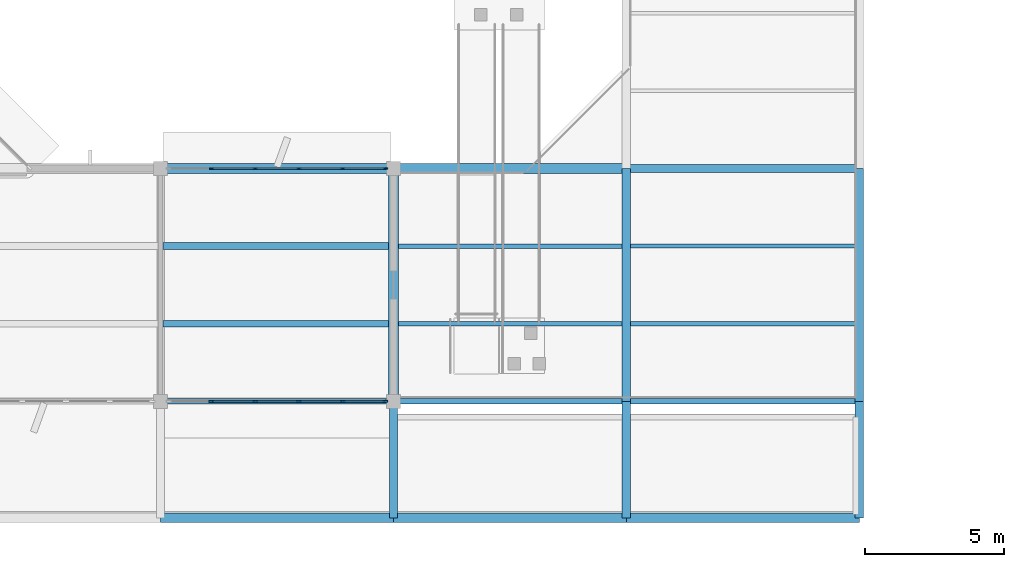
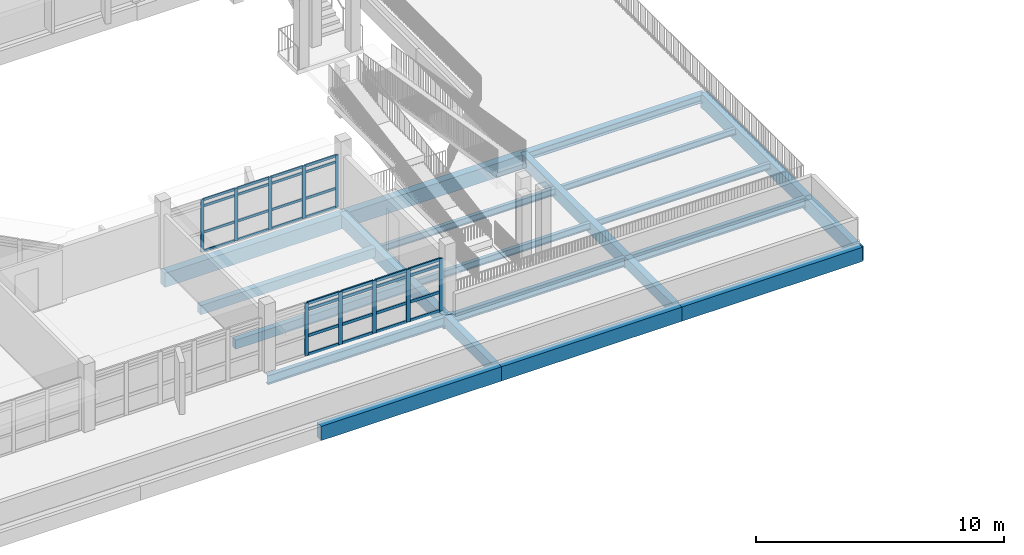
# One storey, part 19 of 92: 42 members, 21 beams, 2 elements without a shape of their own.
"""IFC4 building model written with IfcOpenShell, lengths in metres."""

from ifc_helpers import new_model, si_unit, direction, frame, origin, origin_2d, place, context, subcontext, project, spatial, rectangle, i_section, extrude, material, material_profile, profile_set, type_object, element, aggregate, save


model = new_model("IFC4")

# Units and contexts
model_context = context("Model", 3, precision=1e-05, world=origin(), true_north=direction((0.0, 1.0)))
body_context = subcontext(model_context, "Body", "Model", "MODEL_VIEW")
ifc_project = project(units=[si_unit("LENGTHUNIT", "METRE"), si_unit("AREAUNIT", "SQUARE_METRE"), si_unit("VOLUMEUNIT", "CUBIC_METRE"), si_unit("PLANEANGLEUNIT", "RADIAN"), si_unit("MASSUNIT", "GRAM", prefix="KILO")], contexts=[model_context])

# Site, building, storey
site_placement = place(None, origin())
site = spatial("IfcSite", under=ifc_project, at=site_placement, CompositionType="ELEMENT")
building_placement = place(site_placement, origin())
building = spatial("IfcBuilding", under=site, at=building_placement, Name="Vanh Quang Courtyard School", CompositionType="ELEMENT")
storey_placement = place(building_placement, frame((0.0, 0.0, 7.800048828125)))
storey = spatial("IfcBuildingStorey", under=building, at=storey_placement, Name="L02", CompositionType="ELEMENT", Elevation=7.800048828125)

# Beams
ifc_material_1 = material(Name="Concrete C35/45", Category="concrete")
ifc_material_profile_1 = material_profile(ifc_material_1, rectangle(XDim=0.300048828125, YDim=0.550048828125, at=origin_2d()), Name="RC-BM 300x550")
ifc_profile_set_1 = profile_set([ifc_material_profile_1], Name="Concrete C35/45")
beam_type_1 = type_object("IfcBeamType", Name="BM-RC-300x550", PredefinedType="BEAM", material=ifc_profile_set_1)
for number, where, z_axis, x_axis, name in (
    (1, (102.60009765625, 0.0, -0.594970703125), (0.0, 1.0, 0.0), (-1.0, 0.0, 0.0), "Beam B-07 (L02)"),
    (2, (111.0, 0.0, -0.594970703125), (0.0, 1.0, 0.0), (-1.0, 0.0, 0.0), "Beam B-07 (L02)"),
):
    element("IfcBeam", number, at=place(storey_placement, frame(where, z_axis=z_axis, x_axis=x_axis)), inside=storey, type_object=beam_type_1, Name=name, PredefinedType="BEAM", context=body_context, shape_type="SweptSolid", body=[
        extrude(rectangle(XDim=0.300048828125, YDim=0.550048828125, at=origin_2d()), origin(), (0.0, 0.0, 1.0), 4.199951171875),
    ])
ifc_material_profile_2 = material_profile(ifc_material_1, rectangle(XDim=0.300048828125, YDim=0.60009765625, at=origin_2d()), Name="RC-BM 300x600")
ifc_profile_set_2 = profile_set([ifc_material_profile_2], Name="Concrete C35/45")
beam_type_2 = type_object("IfcBeamType", Name="BM-RC-300x600", PredefinedType="BEAM", material=ifc_profile_set_2)
beam_1_placement = place(storey_placement, frame((111.0, 4.199951171875, -0.6201171875), z_axis=(0.0, 1.0, 0.0), x_axis=(-1.0, 0.0, 0.0)))
element("IfcBeam", 3, at=beam_1_placement, inside=storey, type_object=beam_type_2, Name="Beam B-06 (L02)", PredefinedType="BEAM", context=body_context, shape_type="SweptSolid", body=[
    extrude(rectangle(XDim=0.300048828125, YDim=0.60009765625, at=origin_2d()), origin(), (0.0, 0.0, 1.0), 8.400146484375),
])
ifc_material_profile_3 = material_profile(ifc_material_1, rectangle(XDim=0.35009765625, YDim=0.64990234375, at=origin_2d()), Name="RC-BM 350x650")
ifc_profile_set_3 = profile_set([ifc_material_profile_3], Name="Concrete C35/45")
beam_type_3 = type_object("IfcBeamType", Name="BM-RC-350x650", PredefinedType="BEAM", material=ifc_profile_set_3)
beam_2_placement = place(storey_placement, frame((102.60009765625, 4.199951171875, -0.64501953125), z_axis=(0.0, 1.0, 0.0), x_axis=(-1.0, 0.0, 0.0)))
element("IfcBeam", 4, at=beam_2_placement, inside=storey, type_object=beam_type_3, Name="Beam B-05 (L02)", PredefinedType="BEAM", context=body_context, shape_type="SweptSolid", body=[
    extrude(rectangle(XDim=0.35009765625, YDim=0.64990234375, at=origin_2d()), origin(), (0.0, 0.0, 1.0), 8.400146484375),
])
ifc_material_profile_4 = material_profile(ifc_material_1, rectangle(XDim=0.35009765625, YDim=0.699951171875, at=origin_2d()), Name="RC-BM 350x700")
ifc_profile_set_4 = profile_set([ifc_material_profile_4], Name="Concrete C35/45")
beam_type_4 = type_object("IfcBeamType", Name="BM-RC-350x700", PredefinedType="BEAM", material=ifc_profile_set_4)
beam_3_placement = place(storey_placement, frame((94.199951171875, 0.0, -0.570068359375), z_axis=(1.0, 0.0, 0.0), x_axis=(0.0, 1.0, 0.0)))
element("IfcBeam", 5, at=beam_3_placement, inside=storey, type_object=beam_type_4, Name="Beam B-04 (L02)", PredefinedType="BEAM", context=body_context, shape_type="SweptSolid", body=[
    extrude(rectangle(XDim=0.35009765625, YDim=0.699951171875, at=origin_2d()), origin(), (0.0, 0.0, 1.0), 8.400146484375),
])
for number, where, z_axis, x_axis, name in (
    (6, (102.60009765625, 0.0, -0.570068359375), (1.0, 0.0, 0.0), (0.0, 1.0, 0.0), "Beam B-04 (L02)"),
    (7, (111.0, 0.0, -0.570068359375), (1.0, 0.0, 0.0), (0.0, 1.0, 0.0), "Beam B-04 (L02)"),
):
    element("IfcBeam", number, at=place(storey_placement, frame(where, z_axis=z_axis, x_axis=x_axis)), inside=storey, type_object=beam_type_4, Name=name, PredefinedType="BEAM", context=body_context, shape_type="SweptSolid", body=[
        extrude(rectangle(XDim=0.35009765625, YDim=0.699951171875, at=origin_2d()), origin(), (0.0, 0.0, 1.0), 8.39990234375),
    ])
beam_4_placement = place(storey_placement, frame((94.199951171875, 12.60009765625, -0.670166015625), z_axis=(1.0, 0.0, 0.0), x_axis=(0.0, 1.0, 0.0)))
element("IfcBeam", 8, at=beam_4_placement, inside=storey, type_object=beam_type_4, Name="Beam B-04 (L02)", PredefinedType="BEAM", context=body_context, shape_type="SweptSolid", body=[
    extrude(rectangle(XDim=0.35009765625, YDim=0.699951171875, at=origin_2d()), origin(), (0.0, 0.0, 1.0), 8.400146484375),
])
beam_5_placement = place(storey_placement, frame((102.60009765625, 12.60009765625, -0.670166015625), z_axis=(1.0, 0.0, 0.0), x_axis=(0.0, 1.0, 0.0)))
element("IfcBeam", 9, at=beam_5_placement, inside=storey, type_object=beam_type_4, Name="Beam B-04 (L02)", PredefinedType="BEAM", context=body_context, shape_type="SweptSolid", body=[
    extrude(rectangle(XDim=0.35009765625, YDim=0.699951171875, at=origin_2d()), origin(), (0.0, 0.0, 1.0), 8.39990234375),
])
ifc_material_profile_5 = material_profile(ifc_material_1, rectangle(XDim=0.300048828125, YDim=0.699951171875, at=origin_2d()), Name="RC-SP 300x700")
ifc_profile_set_5 = profile_set([ifc_material_profile_5], Name="Concrete C35/45")
beam_type_5 = type_object("IfcBeamType", Name="BM-SP-300x700", PredefinedType="SPANDREL", material=ifc_profile_set_5)
beam_6_placement = place(storey_placement, frame((119.39990234375, 0.0, -0.670166015625), z_axis=(0.0, 1.0, 0.0), x_axis=(-1.0, 0.0, 0.0)))
element("IfcBeam", 10, at=beam_6_placement, inside=storey, type_object=beam_type_5, Name="Beam BS-01 (L02)", PredefinedType="SPANDREL", context=body_context, shape_type="SweptSolid", body=[
    extrude(rectangle(XDim=0.300048828125, YDim=0.699951171875, at=origin_2d()), origin(), (0.0, 0.0, 1.0), 4.199951171875),
])
beam_7_placement = place(storey_placement, frame((119.39990234375, 4.199951171875, -0.670166015625), z_axis=(0.0, 1.0, 0.0), x_axis=(-1.0, 0.0, 0.0)))
element("IfcBeam", 11, at=beam_7_placement, inside=storey, type_object=beam_type_5, Name="Beam BS-01 (L02)", PredefinedType="SPANDREL", context=body_context, shape_type="SweptSolid", body=[
    extrude(rectangle(XDim=0.300048828125, YDim=0.699951171875, at=origin_2d()), origin(), (0.0, 0.0, 1.0), 8.400146484375),
])
ifc_material_2 = material(Name="Structural steel EN 10025-2 S355J2", Category="steel")
ifc_material_profile_6 = material_profile(ifc_material_2, i_section(OverallWidth=0.300048828125, OverallDepth=0.389892578125, WebThickness=0.010986328125, FlangeThickness=0.01904296875, FilletRadius=0.027099609375, at=origin_2d()), Name="HEA 400")
ifc_profile_set_6 = profile_set([ifc_material_profile_6], Name="Structural steel EN 10025-2 S355J2")
beam_type_6 = type_object("IfcBeamType", Name="BM-STL-HEA400", PredefinedType="BEAM", material=ifc_profile_set_6)
beam_8_placement = place(storey_placement, frame((111.0, 12.60009765625, -0.51513671875), z_axis=(1.0, 0.0, 0.0), x_axis=(0.0, 1.0, 0.0)))
element("IfcBeam", 12, at=beam_8_placement, inside=storey, type_object=beam_type_6, Name="Beam SB-08 (L02)", PredefinedType="BEAM", context=body_context, shape_type="SweptSolid", body=[
    extrude(i_section(OverallWidth=0.300048828125, OverallDepth=0.389892578125, WebThickness=0.010986328125, FlangeThickness=0.01904296875, FilletRadius=0.027099609375, at=origin_2d()), origin(), (0.0, 0.0, 1.0), 8.39990234375),
])
ifc_material_profile_7 = material_profile(ifc_material_2, i_section(OverallWidth=0.18994140625, OverallDepth=0.449951171875, WebThickness=0.009521484375, FlangeThickness=0.0146484375, FilletRadius=0.02099609375, at=origin_2d()), Name="IPE 450")
ifc_profile_set_7 = profile_set([ifc_material_profile_7], Name="Structural steel EN 10025-2 S355J2")
beam_type_7 = type_object("IfcBeamType", Name="BM-STL-IPE450", PredefinedType="BEAM", material=ifc_profile_set_7)
beam_9_placement = place(storey_placement, frame((94.199951171875, 4.199951171875, -0.545166015625), z_axis=(1.0, 0.0, 0.0), x_axis=(0.0, 1.0, 0.0)))
element("IfcBeam", 13, at=beam_9_placement, inside=storey, type_object=beam_type_7, Name="Beam SB-04 (L02)", PredefinedType="BEAM", context=body_context, shape_type="SweptSolid", body=[
    extrude(i_section(OverallWidth=0.18994140625, OverallDepth=0.449951171875, WebThickness=0.009521484375, FlangeThickness=0.0146484375, FilletRadius=0.02099609375, at=origin_2d()), origin(), (0.0, 0.0, 1.0), 8.400146484375),
])
for number, where, z_axis, x_axis, name in (
    (14, (102.60009765625, 4.199951171875, -0.545166015625), (1.0, 0.0, 0.0), (0.0, 1.0, 0.0), "Beam SB-04 (L02)"),
    (15, (111.0, 4.199951171875, -0.545166015625), (1.0, 0.0, 0.0), (0.0, 1.0, 0.0), "Beam SB-04 (L02)"),
):
    element("IfcBeam", number, at=place(storey_placement, frame(where, z_axis=z_axis, x_axis=x_axis)), inside=storey, type_object=beam_type_7, Name=name, PredefinedType="BEAM", context=body_context, shape_type="SweptSolid", body=[
        extrude(i_section(OverallWidth=0.18994140625, OverallDepth=0.449951171875, WebThickness=0.009521484375, FlangeThickness=0.0146484375, FilletRadius=0.02099609375, at=origin_2d()), origin(), (0.0, 0.0, 1.0), 8.39990234375),
    ])

# Curtain wall, members
ifc_material_3 = material(Name="Thermally broken aluminium unitised curtain wall", Category="aluminium")
curtain_wall_type = type_object("IfcCurtainWallType", Name="CW-SYS-19", PredefinedType="NOTDEFINED", material=ifc_material_3)
curtain_wall_1_placement = place(storey_placement, origin())
curtain_wall_1 = element("IfcCurtainWall", 16, at=curtain_wall_1_placement, inside=storey, type_object=curtain_wall_type, Name="Curtain Wall CW-19 (L02)", PredefinedType="NOTDEFINED")
ifc_material_4 = material(Name="Anodised aluminium 6063-T6", Category="aluminium")
ifc_material_profile_8 = material_profile(ifc_material_4, rectangle(XDim=0.06005859375, YDim=0.159912109375, at=origin_2d()), Name="ALU-MUL 60x160")
ifc_profile_set_8 = profile_set([ifc_material_profile_8], Name="Anodised aluminium 6063-T6")
member_type_1 = type_object("IfcMemberType", Name="CW-MUL-60x160", PredefinedType="MULLION", material=ifc_profile_set_8)
member_1_placement = place(storey_placement, frame((96.034912109375, 12.60009765625, 0.0), z_axis=(0.0, 0.0, 1.0), x_axis=(0.0, 1.0, 0.0)))
member_1 = element("IfcMember", 17, at=member_1_placement, type_object=member_type_1, Name="CW-19 mullion 2", PredefinedType="MULLION", context=body_context, shape_type="SweptSolid", body=[
    extrude(rectangle(XDim=0.06005859375, YDim=0.159912109375, at=origin_2d()), origin(), (0.0, 0.0, 1.0), 2.579833984375),
])
member_2_placement = place(storey_placement, frame((97.611572265625, 12.60009765625, 0.0), z_axis=(0.0, 0.0, 1.0), x_axis=(0.0, 1.0, 0.0)))
member_2 = element("IfcMember", 18, at=member_2_placement, type_object=member_type_1, Name="CW-19 mullion 3", PredefinedType="MULLION", context=body_context, shape_type="SweptSolid", body=[
    extrude(rectangle(XDim=0.06005859375, YDim=0.159912109375, at=origin_2d()), origin(), (0.0, 0.0, 1.0), 2.579833984375),
])
member_3_placement = place(storey_placement, frame((99.1884765625, 12.60009765625, 0.0), z_axis=(0.0, 0.0, 1.0), x_axis=(0.0, 1.0, 0.0)))
member_3 = element("IfcMember", 19, at=member_3_placement, type_object=member_type_1, Name="CW-19 mullion 4", PredefinedType="MULLION", context=body_context, shape_type="SweptSolid", body=[
    extrude(rectangle(XDim=0.06005859375, YDim=0.159912109375, at=origin_2d()), origin(), (0.0, 0.0, 1.0), 2.579833984375),
])
member_4_placement = place(storey_placement, frame((100.76513671875, 12.60009765625, 0.0), z_axis=(0.0, 0.0, 1.0), x_axis=(0.0, 1.0, 0.0)))
member_4 = element("IfcMember", 20, at=member_4_placement, type_object=member_type_1, Name="CW-19 mullion 5", PredefinedType="MULLION", context=body_context, shape_type="SweptSolid", body=[
    extrude(rectangle(XDim=0.06005859375, YDim=0.159912109375, at=origin_2d()), origin(), (0.0, 0.0, 1.0), 2.579833984375),
])
member_5_placement = place(storey_placement, frame((102.31201171875, 12.60009765625, 0.0), z_axis=(0.0, 0.0, 1.0), x_axis=(0.0, 1.0, 0.0)))
member_5 = element("IfcMember", 21, at=member_5_placement, type_object=member_type_1, Name="CW-19 mullion 6", PredefinedType="MULLION", context=body_context, shape_type="SweptSolid", body=[
    extrude(rectangle(XDim=0.06005859375, YDim=0.159912109375, at=origin_2d()), origin(), (0.0, 0.0, 1.0), 2.579833984375),
])

curtain_wall_2_placement = place(storey_placement, origin())
curtain_wall_2 = element("IfcCurtainWall", 22, at=curtain_wall_2_placement, inside=storey, type_object=curtain_wall_type, Name="Curtain Wall CW-19 (L02)", PredefinedType="NOTDEFINED")
ifc_material_profile_9 = material_profile(ifc_material_4, rectangle(XDim=0.070068359375, YDim=0.179931640625, at=origin_2d()), Name="ALU-MUL 70x180")
ifc_profile_set_9 = profile_set([ifc_material_profile_9], Name="Anodised aluminium 6063-T6")
member_type_2 = type_object("IfcMemberType", Name="CW-MUL-70x180", PredefinedType="MULLION", material=ifc_profile_set_9)
member_6_placement = place(storey_placement, frame((102.306884765625, 4.199951171875, 0.0), z_axis=(0.0, 0.0, 1.0), x_axis=(0.0, -1.0, 0.0)))
member_6 = element("IfcMember", 23, at=member_6_placement, type_object=member_type_2, Name="CW-19 mullion 1", PredefinedType="MULLION", context=body_context, shape_type="SweptSolid", body=[
    extrude(rectangle(XDim=0.070068359375, YDim=0.179931640625, at=origin_2d()), origin(), (0.0, 0.0, 1.0), 2.579833984375),
])
member_7_placement = place(storey_placement, frame((100.76513671875, 4.199951171875, 0.0), z_axis=(0.0, 0.0, 1.0), x_axis=(0.0, -1.0, 0.0)))
member_7 = element("IfcMember", 24, at=member_7_placement, type_object=member_type_2, Name="CW-19 mullion 2", PredefinedType="MULLION", context=body_context, shape_type="SweptSolid", body=[
    extrude(rectangle(XDim=0.070068359375, YDim=0.179931640625, at=origin_2d()), origin(), (0.0, 0.0, 1.0), 2.579833984375),
])
member_8_placement = place(storey_placement, frame((99.1884765625, 4.199951171875, 0.0), z_axis=(0.0, 0.0, 1.0), x_axis=(0.0, -1.0, 0.0)))
member_8 = element("IfcMember", 25, at=member_8_placement, type_object=member_type_2, Name="CW-19 mullion 3", PredefinedType="MULLION", context=body_context, shape_type="SweptSolid", body=[
    extrude(rectangle(XDim=0.070068359375, YDim=0.179931640625, at=origin_2d()), origin(), (0.0, 0.0, 1.0), 2.579833984375),
])
member_9_placement = place(storey_placement, frame((97.611572265625, 4.199951171875, 0.0), z_axis=(0.0, 0.0, 1.0), x_axis=(0.0, -1.0, 0.0)))
member_9 = element("IfcMember", 26, at=member_9_placement, type_object=member_type_2, Name="CW-19 mullion 4", PredefinedType="MULLION", context=body_context, shape_type="SweptSolid", body=[
    extrude(rectangle(XDim=0.070068359375, YDim=0.179931640625, at=origin_2d()), origin(), (0.0, 0.0, 1.0), 2.579833984375),
])
member_10_placement = place(storey_placement, frame((96.034912109375, 4.199951171875, 0.0), z_axis=(0.0, 0.0, 1.0), x_axis=(0.0, -1.0, 0.0)))
member_10 = element("IfcMember", 27, at=member_10_placement, type_object=member_type_2, Name="CW-19 mullion 5", PredefinedType="MULLION", context=body_context, shape_type="SweptSolid", body=[
    extrude(rectangle(XDim=0.070068359375, YDim=0.179931640625, at=origin_2d()), origin(), (0.0, 0.0, 1.0), 2.579833984375),
])

# Member
ifc_material_profile_10 = material_profile(ifc_material_4, rectangle(XDim=0.06005859375, YDim=0.1201171875, at=origin_2d()), Name="ALU-TRN 60x120")
ifc_profile_set_10 = profile_set([ifc_material_profile_10], Name="Anodised aluminium 6063-T6")
member_type_3 = type_object("IfcMemberType", Name="CW-TRN-60x120", PredefinedType="USERDEFINED", material=ifc_profile_set_10)
member_11_placement = place(storey_placement, frame((96.064697265625, 12.60009765625, 0.030029296875), z_axis=(1.0, 0.0, 0.0), x_axis=(0.0, 1.0, 0.0)))
member_11 = element("IfcMember", 28, at=member_11_placement, type_object=member_type_3, Name="CW-19 transom 2.1", ObjectType="TRANSOM", PredefinedType="USERDEFINED", context=body_context, shape_type="SweptSolid", body=[
    extrude(rectangle(XDim=0.06005859375, YDim=0.1201171875, at=origin_2d()), origin(), (0.0, 0.0, 1.0), 1.516845703125),
])

member_12_placement = place(storey_placement, frame((96.064697265625, 12.60009765625, 0.949951171875), z_axis=(1.0, 0.0, 0.0), x_axis=(0.0, 1.0, 0.0)))
member_12 = element("IfcMember", 29, at=member_12_placement, type_object=member_type_3, Name="CW-19 transom 2.2", ObjectType="TRANSOM", PredefinedType="USERDEFINED", context=body_context, shape_type="SweptSolid", body=[
    extrude(rectangle(XDim=0.06005859375, YDim=0.1201171875, at=origin_2d()), origin(), (0.0, 0.0, 1.0), 1.516845703125),
])

member_13_placement = place(storey_placement, frame((96.064697265625, 12.60009765625, 2.25), z_axis=(1.0, 0.0, 0.0), x_axis=(0.0, 1.0, 0.0)))
member_13 = element("IfcMember", 30, at=member_13_placement, type_object=member_type_3, Name="CW-19 transom 2.3", ObjectType="TRANSOM", PredefinedType="USERDEFINED", context=body_context, shape_type="SweptSolid", body=[
    extrude(rectangle(XDim=0.06005859375, YDim=0.1201171875, at=origin_2d()), origin(), (0.0, 0.0, 1.0), 1.516845703125),
])

member_14_placement = place(storey_placement, frame((96.064697265625, 12.60009765625, 2.550048828125), z_axis=(1.0, 0.0, 0.0), x_axis=(0.0, 1.0, 0.0)))
member_14 = element("IfcMember", 31, at=member_14_placement, type_object=member_type_3, Name="CW-19 transom 2.4", ObjectType="TRANSOM", PredefinedType="USERDEFINED", context=body_context, shape_type="SweptSolid", body=[
    extrude(rectangle(XDim=0.06005859375, YDim=0.1201171875, at=origin_2d()), origin(), (0.0, 0.0, 1.0), 1.516845703125),
])

member_15_placement = place(storey_placement, frame((97.6416015625, 12.60009765625, 0.030029296875), z_axis=(1.0, 0.0, 0.0), x_axis=(0.0, 1.0, 0.0)))
member_15 = element("IfcMember", 32, at=member_15_placement, type_object=member_type_3, Name="CW-19 transom 3.1", ObjectType="TRANSOM", PredefinedType="USERDEFINED", context=body_context, shape_type="SweptSolid", body=[
    extrude(rectangle(XDim=0.06005859375, YDim=0.1201171875, at=origin_2d()), origin(), (0.0, 0.0, 1.0), 1.516845703125),
])

member_16_placement = place(storey_placement, frame((97.6416015625, 12.60009765625, 0.949951171875), z_axis=(1.0, 0.0, 0.0), x_axis=(0.0, 1.0, 0.0)))
member_16 = element("IfcMember", 33, at=member_16_placement, type_object=member_type_3, Name="CW-19 transom 3.2", ObjectType="TRANSOM", PredefinedType="USERDEFINED", context=body_context, shape_type="SweptSolid", body=[
    extrude(rectangle(XDim=0.06005859375, YDim=0.1201171875, at=origin_2d()), origin(), (0.0, 0.0, 1.0), 1.516845703125),
])

member_17_placement = place(storey_placement, frame((97.6416015625, 12.60009765625, 2.25), z_axis=(1.0, 0.0, 0.0), x_axis=(0.0, 1.0, 0.0)))
member_17 = element("IfcMember", 34, at=member_17_placement, type_object=member_type_3, Name="CW-19 transom 3.3", ObjectType="TRANSOM", PredefinedType="USERDEFINED", context=body_context, shape_type="SweptSolid", body=[
    extrude(rectangle(XDim=0.06005859375, YDim=0.1201171875, at=origin_2d()), origin(), (0.0, 0.0, 1.0), 1.516845703125),
])

member_18_placement = place(storey_placement, frame((97.6416015625, 12.60009765625, 2.550048828125), z_axis=(1.0, 0.0, 0.0), x_axis=(0.0, 1.0, 0.0)))
member_18 = element("IfcMember", 35, at=member_18_placement, type_object=member_type_3, Name="CW-19 transom 3.4", ObjectType="TRANSOM", PredefinedType="USERDEFINED", context=body_context, shape_type="SweptSolid", body=[
    extrude(rectangle(XDim=0.06005859375, YDim=0.1201171875, at=origin_2d()), origin(), (0.0, 0.0, 1.0), 1.516845703125),
])

member_19_placement = place(storey_placement, frame((99.218505859375, 12.60009765625, 0.030029296875), z_axis=(1.0, 0.0, 0.0), x_axis=(0.0, 1.0, 0.0)))
member_19 = element("IfcMember", 36, at=member_19_placement, type_object=member_type_3, Name="CW-19 transom 4.1", ObjectType="TRANSOM", PredefinedType="USERDEFINED", context=body_context, shape_type="SweptSolid", body=[
    extrude(rectangle(XDim=0.06005859375, YDim=0.1201171875, at=origin_2d()), origin(), (0.0, 0.0, 1.0), 1.5166015625),
])

member_20_placement = place(storey_placement, frame((99.218505859375, 12.60009765625, 0.949951171875), z_axis=(1.0, 0.0, 0.0), x_axis=(0.0, 1.0, 0.0)))
member_20 = element("IfcMember", 37, at=member_20_placement, type_object=member_type_3, Name="CW-19 transom 4.2", ObjectType="TRANSOM", PredefinedType="USERDEFINED", context=body_context, shape_type="SweptSolid", body=[
    extrude(rectangle(XDim=0.06005859375, YDim=0.1201171875, at=origin_2d()), origin(), (0.0, 0.0, 1.0), 1.5166015625),
])

member_21_placement = place(storey_placement, frame((99.218505859375, 12.60009765625, 2.25), z_axis=(1.0, 0.0, 0.0), x_axis=(0.0, 1.0, 0.0)))
member_21 = element("IfcMember", 38, at=member_21_placement, type_object=member_type_3, Name="CW-19 transom 4.3", ObjectType="TRANSOM", PredefinedType="USERDEFINED", context=body_context, shape_type="SweptSolid", body=[
    extrude(rectangle(XDim=0.06005859375, YDim=0.1201171875, at=origin_2d()), origin(), (0.0, 0.0, 1.0), 1.5166015625),
])

member_22_placement = place(storey_placement, frame((99.218505859375, 12.60009765625, 2.550048828125), z_axis=(1.0, 0.0, 0.0), x_axis=(0.0, 1.0, 0.0)))
member_22 = element("IfcMember", 39, at=member_22_placement, type_object=member_type_3, Name="CW-19 transom 4.4", ObjectType="TRANSOM", PredefinedType="USERDEFINED", context=body_context, shape_type="SweptSolid", body=[
    extrude(rectangle(XDim=0.06005859375, YDim=0.1201171875, at=origin_2d()), origin(), (0.0, 0.0, 1.0), 1.5166015625),
])

member_23_placement = place(storey_placement, frame((100.795166015625, 12.60009765625, 0.030029296875), z_axis=(1.0, 0.0, 0.0), x_axis=(0.0, 1.0, 0.0)))
member_23 = element("IfcMember", 40, at=member_23_placement, type_object=member_type_3, Name="CW-19 transom 5.1", ObjectType="TRANSOM", PredefinedType="USERDEFINED", context=body_context, shape_type="SweptSolid", body=[
    extrude(rectangle(XDim=0.06005859375, YDim=0.1201171875, at=origin_2d()), origin(), (0.0, 0.0, 1.0), 1.48681640625),
])

member_24_placement = place(storey_placement, frame((100.795166015625, 12.60009765625, 0.949951171875), z_axis=(1.0, 0.0, 0.0), x_axis=(0.0, 1.0, 0.0)))
member_24 = element("IfcMember", 41, at=member_24_placement, type_object=member_type_3, Name="CW-19 transom 5.2", ObjectType="TRANSOM", PredefinedType="USERDEFINED", context=body_context, shape_type="SweptSolid", body=[
    extrude(rectangle(XDim=0.06005859375, YDim=0.1201171875, at=origin_2d()), origin(), (0.0, 0.0, 1.0), 1.48681640625),
])

member_25_placement = place(storey_placement, frame((100.795166015625, 12.60009765625, 2.25), z_axis=(1.0, 0.0, 0.0), x_axis=(0.0, 1.0, 0.0)))
member_25 = element("IfcMember", 42, at=member_25_placement, type_object=member_type_3, Name="CW-19 transom 5.3", ObjectType="TRANSOM", PredefinedType="USERDEFINED", context=body_context, shape_type="SweptSolid", body=[
    extrude(rectangle(XDim=0.06005859375, YDim=0.1201171875, at=origin_2d()), origin(), (0.0, 0.0, 1.0), 1.48681640625),
])

member_26_placement = place(storey_placement, frame((100.795166015625, 12.60009765625, 2.550048828125), z_axis=(1.0, 0.0, 0.0), x_axis=(0.0, 1.0, 0.0)))
member_26 = element("IfcMember", 43, at=member_26_placement, type_object=member_type_3, Name="CW-19 transom 5.4", ObjectType="TRANSOM", PredefinedType="USERDEFINED", context=body_context, shape_type="SweptSolid", body=[
    extrude(rectangle(XDim=0.06005859375, YDim=0.1201171875, at=origin_2d()), origin(), (0.0, 0.0, 1.0), 1.48681640625),
])

aggregate(curtain_wall_1, [member_1, member_2, member_3, member_4, member_5, member_11, member_12, member_13, member_14, member_15, member_16, member_17, member_18, member_19, member_20, member_21, member_22, member_23, member_24, member_25, member_26])

ifc_material_profile_11 = material_profile(ifc_material_4, rectangle(XDim=0.070068359375, YDim=0.139892578125, at=origin_2d()), Name="ALU-TRN 70x140")
ifc_profile_set_11 = profile_set([ifc_material_profile_11], Name="Anodised aluminium 6063-T6")
member_type_4 = type_object("IfcMemberType", Name="CW-TRN-70x140", PredefinedType="USERDEFINED", material=ifc_profile_set_11)
member_27_placement = place(storey_placement, frame((102.27197265625, 4.199951171875, 0.034912109375), z_axis=(-1.0, 0.0, 0.0), x_axis=(0.0, -1.0, 0.0)))
member_27 = element("IfcMember", 44, at=member_27_placement, type_object=member_type_4, Name="CW-19 transom 1.1", ObjectType="TRANSOM", PredefinedType="USERDEFINED", context=body_context, shape_type="SweptSolid", body=[
    extrude(rectangle(XDim=0.070068359375, YDim=0.139892578125, at=origin_2d()), origin(), (0.0, 0.0, 1.0), 1.4716796875),
])

member_28_placement = place(storey_placement, frame((102.27197265625, 4.199951171875, 0.949951171875), z_axis=(-1.0, 0.0, 0.0), x_axis=(0.0, -1.0, 0.0)))
member_28 = element("IfcMember", 45, at=member_28_placement, type_object=member_type_4, Name="CW-19 transom 1.2", ObjectType="TRANSOM", PredefinedType="USERDEFINED", context=body_context, shape_type="SweptSolid", body=[
    extrude(rectangle(XDim=0.070068359375, YDim=0.139892578125, at=origin_2d()), origin(), (0.0, 0.0, 1.0), 1.4716796875),
])

member_29_placement = place(storey_placement, frame((102.27197265625, 4.199951171875, 2.25), z_axis=(-1.0, 0.0, 0.0), x_axis=(0.0, -1.0, 0.0)))
member_29 = element("IfcMember", 46, at=member_29_placement, type_object=member_type_4, Name="CW-19 transom 1.3", ObjectType="TRANSOM", PredefinedType="USERDEFINED", context=body_context, shape_type="SweptSolid", body=[
    extrude(rectangle(XDim=0.070068359375, YDim=0.139892578125, at=origin_2d()), origin(), (0.0, 0.0, 1.0), 1.4716796875),
])

member_30_placement = place(storey_placement, frame((102.27197265625, 4.199951171875, 2.544921875), z_axis=(-1.0, 0.0, 0.0), x_axis=(0.0, -1.0, 0.0)))
member_30 = element("IfcMember", 47, at=member_30_placement, type_object=member_type_4, Name="CW-19 transom 1.4", ObjectType="TRANSOM", PredefinedType="USERDEFINED", context=body_context, shape_type="SweptSolid", body=[
    extrude(rectangle(XDim=0.070068359375, YDim=0.139892578125, at=origin_2d()), origin(), (0.0, 0.0, 1.0), 1.4716796875),
])

member_31_placement = place(storey_placement, frame((100.730224609375, 4.199951171875, 0.034912109375), z_axis=(-1.0, 0.0, 0.0), x_axis=(0.0, -1.0, 0.0)))
member_31 = element("IfcMember", 48, at=member_31_placement, type_object=member_type_4, Name="CW-19 transom 2.1", ObjectType="TRANSOM", PredefinedType="USERDEFINED", context=body_context, shape_type="SweptSolid", body=[
    extrude(rectangle(XDim=0.070068359375, YDim=0.139892578125, at=origin_2d()), origin(), (0.0, 0.0, 1.0), 1.5068359375),
])

member_32_placement = place(storey_placement, frame((100.730224609375, 4.199951171875, 0.949951171875), z_axis=(-1.0, 0.0, 0.0), x_axis=(0.0, -1.0, 0.0)))
member_32 = element("IfcMember", 49, at=member_32_placement, type_object=member_type_4, Name="CW-19 transom 2.2", ObjectType="TRANSOM", PredefinedType="USERDEFINED", context=body_context, shape_type="SweptSolid", body=[
    extrude(rectangle(XDim=0.070068359375, YDim=0.139892578125, at=origin_2d()), origin(), (0.0, 0.0, 1.0), 1.5068359375),
])

member_33_placement = place(storey_placement, frame((100.730224609375, 4.199951171875, 2.25), z_axis=(-1.0, 0.0, 0.0), x_axis=(0.0, -1.0, 0.0)))
member_33 = element("IfcMember", 50, at=member_33_placement, type_object=member_type_4, Name="CW-19 transom 2.3", ObjectType="TRANSOM", PredefinedType="USERDEFINED", context=body_context, shape_type="SweptSolid", body=[
    extrude(rectangle(XDim=0.070068359375, YDim=0.139892578125, at=origin_2d()), origin(), (0.0, 0.0, 1.0), 1.5068359375),
])

member_34_placement = place(storey_placement, frame((100.730224609375, 4.199951171875, 2.544921875), z_axis=(-1.0, 0.0, 0.0), x_axis=(0.0, -1.0, 0.0)))
member_34 = element("IfcMember", 51, at=member_34_placement, type_object=member_type_4, Name="CW-19 transom 2.4", ObjectType="TRANSOM", PredefinedType="USERDEFINED", context=body_context, shape_type="SweptSolid", body=[
    extrude(rectangle(XDim=0.070068359375, YDim=0.139892578125, at=origin_2d()), origin(), (0.0, 0.0, 1.0), 1.5068359375),
])

member_35_placement = place(storey_placement, frame((99.1533203125, 4.199951171875, 0.034912109375), z_axis=(-1.0, 0.0, 0.0), x_axis=(0.0, -1.0, 0.0)))
member_35 = element("IfcMember", 52, at=member_35_placement, type_object=member_type_4, Name="CW-19 transom 3.1", ObjectType="TRANSOM", PredefinedType="USERDEFINED", context=body_context, shape_type="SweptSolid", body=[
    extrude(rectangle(XDim=0.070068359375, YDim=0.139892578125, at=origin_2d()), origin(), (0.0, 0.0, 1.0), 1.5068359375),
])

member_36_placement = place(storey_placement, frame((99.1533203125, 4.199951171875, 0.949951171875), z_axis=(-1.0, 0.0, 0.0), x_axis=(0.0, -1.0, 0.0)))
member_36 = element("IfcMember", 53, at=member_36_placement, type_object=member_type_4, Name="CW-19 transom 3.2", ObjectType="TRANSOM", PredefinedType="USERDEFINED", context=body_context, shape_type="SweptSolid", body=[
    extrude(rectangle(XDim=0.070068359375, YDim=0.139892578125, at=origin_2d()), origin(), (0.0, 0.0, 1.0), 1.5068359375),
])

member_37_placement = place(storey_placement, frame((99.1533203125, 4.199951171875, 2.25), z_axis=(-1.0, 0.0, 0.0), x_axis=(0.0, -1.0, 0.0)))
member_37 = element("IfcMember", 54, at=member_37_placement, type_object=member_type_4, Name="CW-19 transom 3.3", ObjectType="TRANSOM", PredefinedType="USERDEFINED", context=body_context, shape_type="SweptSolid", body=[
    extrude(rectangle(XDim=0.070068359375, YDim=0.139892578125, at=origin_2d()), origin(), (0.0, 0.0, 1.0), 1.5068359375),
])

member_38_placement = place(storey_placement, frame((99.1533203125, 4.199951171875, 2.544921875), z_axis=(-1.0, 0.0, 0.0), x_axis=(0.0, -1.0, 0.0)))
member_38 = element("IfcMember", 55, at=member_38_placement, type_object=member_type_4, Name="CW-19 transom 3.4", ObjectType="TRANSOM", PredefinedType="USERDEFINED", context=body_context, shape_type="SweptSolid", body=[
    extrude(rectangle(XDim=0.070068359375, YDim=0.139892578125, at=origin_2d()), origin(), (0.0, 0.0, 1.0), 1.5068359375),
])

member_39_placement = place(storey_placement, frame((97.57666015625, 4.199951171875, 0.034912109375), z_axis=(-1.0, 0.0, 0.0), x_axis=(0.0, -1.0, 0.0)))
member_39 = element("IfcMember", 56, at=member_39_placement, type_object=member_type_4, Name="CW-19 transom 4.1", ObjectType="TRANSOM", PredefinedType="USERDEFINED", context=body_context, shape_type="SweptSolid", body=[
    extrude(rectangle(XDim=0.070068359375, YDim=0.139892578125, at=origin_2d()), origin(), (0.0, 0.0, 1.0), 1.5068359375),
])

member_40_placement = place(storey_placement, frame((97.57666015625, 4.199951171875, 0.949951171875), z_axis=(-1.0, 0.0, 0.0), x_axis=(0.0, -1.0, 0.0)))
member_40 = element("IfcMember", 57, at=member_40_placement, type_object=member_type_4, Name="CW-19 transom 4.2", ObjectType="TRANSOM", PredefinedType="USERDEFINED", context=body_context, shape_type="SweptSolid", body=[
    extrude(rectangle(XDim=0.070068359375, YDim=0.139892578125, at=origin_2d()), origin(), (0.0, 0.0, 1.0), 1.5068359375),
])

member_41_placement = place(storey_placement, frame((97.57666015625, 4.199951171875, 2.25), z_axis=(-1.0, 0.0, 0.0), x_axis=(0.0, -1.0, 0.0)))
member_41 = element("IfcMember", 58, at=member_41_placement, type_object=member_type_4, Name="CW-19 transom 4.3", ObjectType="TRANSOM", PredefinedType="USERDEFINED", context=body_context, shape_type="SweptSolid", body=[
    extrude(rectangle(XDim=0.070068359375, YDim=0.139892578125, at=origin_2d()), origin(), (0.0, 0.0, 1.0), 1.5068359375),
])

member_42_placement = place(storey_placement, frame((97.57666015625, 4.199951171875, 2.544921875), z_axis=(-1.0, 0.0, 0.0), x_axis=(0.0, -1.0, 0.0)))
member_42 = element("IfcMember", 59, at=member_42_placement, type_object=member_type_4, Name="CW-19 transom 4.4", ObjectType="TRANSOM", PredefinedType="USERDEFINED", context=body_context, shape_type="SweptSolid", body=[
    extrude(rectangle(XDim=0.070068359375, YDim=0.139892578125, at=origin_2d()), origin(), (0.0, 0.0, 1.0), 1.5068359375),
])

aggregate(curtain_wall_2, [member_6, member_7, member_8, member_9, member_10, member_27, member_28, member_29, member_30, member_31, member_32, member_33, member_34, member_35, member_36, member_37, member_38, member_39, member_40, member_41, member_42])

# Beams
ifc_material_5 = material(Name="Concrete C30/37", Category="concrete")
ifc_material_profile_12 = material_profile(ifc_material_5, rectangle(XDim=0.25, YDim=0.449951171875, at=origin_2d()), Name="RC-JST 250x450")
ifc_profile_set_12 = profile_set([ifc_material_profile_12], Name="Concrete C30/37")
beam_type_8 = type_object("IfcBeamType", Name="JST-RC-250x450", PredefinedType="JOIST", material=ifc_profile_set_12)
for number, where, z_axis, x_axis, name in (
    (60, (94.284912109375, 7.0, -0.505126953125), (1.0, 0.0, 0.0), (0.0, 1.0, 0.0), "Beam BJ-02 (L02)"),
    (61, (94.284912109375, 9.800048828125, -0.505126953125), (1.0, 0.0, 0.0), (0.0, 1.0, 0.0), "Beam BJ-02 (L02)"),
):
    element("IfcBeam", number, at=place(storey_placement, frame(where, z_axis=z_axis, x_axis=x_axis)), inside=storey, type_object=beam_type_8, Name=name, PredefinedType="JOIST", context=body_context, shape_type="SweptSolid", body=[
        extrude(rectangle(XDim=0.25, YDim=0.449951171875, at=origin_2d()), origin(), (0.0, 0.0, 1.0), 8.14013671875),
    ])
ifc_material_profile_13 = material_profile(ifc_material_2, i_section(OverallWidth=0.14990234375, OverallDepth=0.300048828125, WebThickness=0.007080078125, FlangeThickness=0.0107421875, FilletRadius=0.014892578125, at=origin_2d()), Name="IPE 300")
ifc_profile_set_13 = profile_set([ifc_material_profile_13], Name="Structural steel EN 10025-2 S355J2")
beam_type_9 = type_object("IfcBeamType", Name="JST-STL-IPE300", PredefinedType="JOIST", material=ifc_profile_set_13)
for number, where, z_axis, x_axis, name in (
    (62, (111.14990234375, 7.0, -0.469970703125), (1.0, 0.0, 0.0), (0.0, 1.0, 0.0), "Beam SJ-02 (L02)"),
    (63, (111.14990234375, 9.800048828125, -0.469970703125), (1.0, 0.0, 0.0), (0.0, 1.0, 0.0), "Beam SJ-02 (L02)"),
):
    element("IfcBeam", number, at=place(storey_placement, frame(where, z_axis=z_axis, x_axis=x_axis)), inside=storey, type_object=beam_type_9, Name=name, PredefinedType="JOIST", context=body_context, shape_type="SweptSolid", body=[
        extrude(i_section(OverallWidth=0.14990234375, OverallDepth=0.300048828125, WebThickness=0.007080078125, FlangeThickness=0.0107421875, FilletRadius=0.014892578125, at=origin_2d()), origin(), (0.0, 0.0, 1.0), 8.10009765625),
    ])
ifc_material_profile_14 = material_profile(ifc_material_2, i_section(OverallWidth=0.159912109375, OverallDepth=0.330078125, WebThickness=0.007568359375, FlangeThickness=0.011474609375, FilletRadius=0.01806640625, at=origin_2d()), Name="IPE 330")
ifc_profile_set_14 = profile_set([ifc_material_profile_14], Name="Structural steel EN 10025-2 S355J2")
beam_type_10 = type_object("IfcBeamType", Name="JST-STL-IPE330", PredefinedType="JOIST", material=ifc_profile_set_14)
for number, where, z_axis, x_axis, name in (
    (64, (102.77490234375, 7.0, -0.485107421875), (1.0, 0.0, 0.0), (0.0, 1.0, 0.0), "Beam SJ-01 (L02)"),
    (65, (102.77490234375, 9.800048828125, -0.485107421875), (1.0, 0.0, 0.0), (0.0, 1.0, 0.0), "Beam SJ-01 (L02)"),
):
    element("IfcBeam", number, at=place(storey_placement, frame(where, z_axis=z_axis, x_axis=x_axis)), inside=storey, type_object=beam_type_10, Name=name, PredefinedType="JOIST", context=body_context, shape_type="SweptSolid", body=[
        extrude(i_section(OverallWidth=0.159912109375, OverallDepth=0.330078125, WebThickness=0.007568359375, FlangeThickness=0.011474609375, FilletRadius=0.01806640625, at=origin_2d()), origin(), (0.0, 0.0, 1.0), 8.0751953125),
    ])

save(model, "model.ifc")
